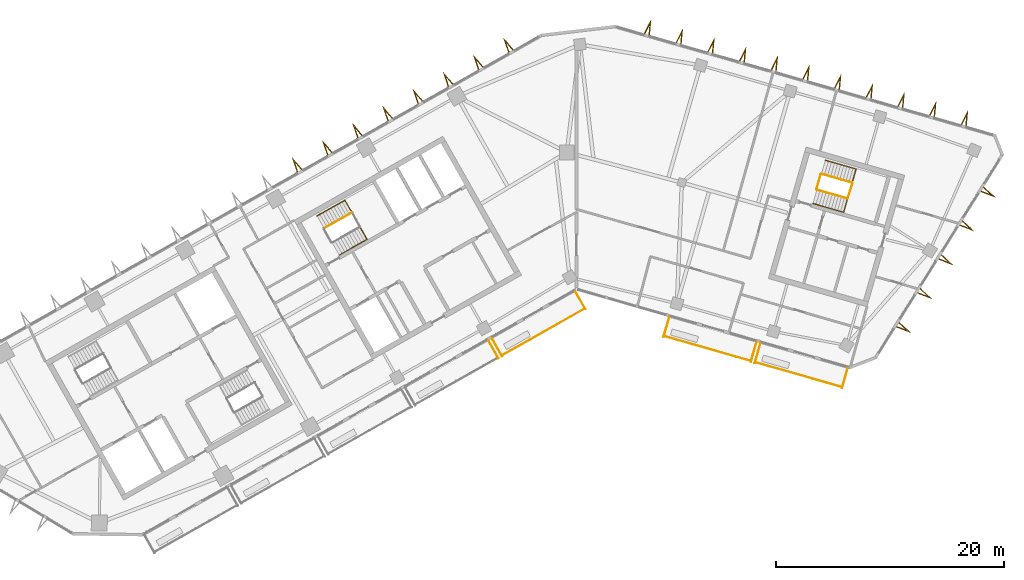
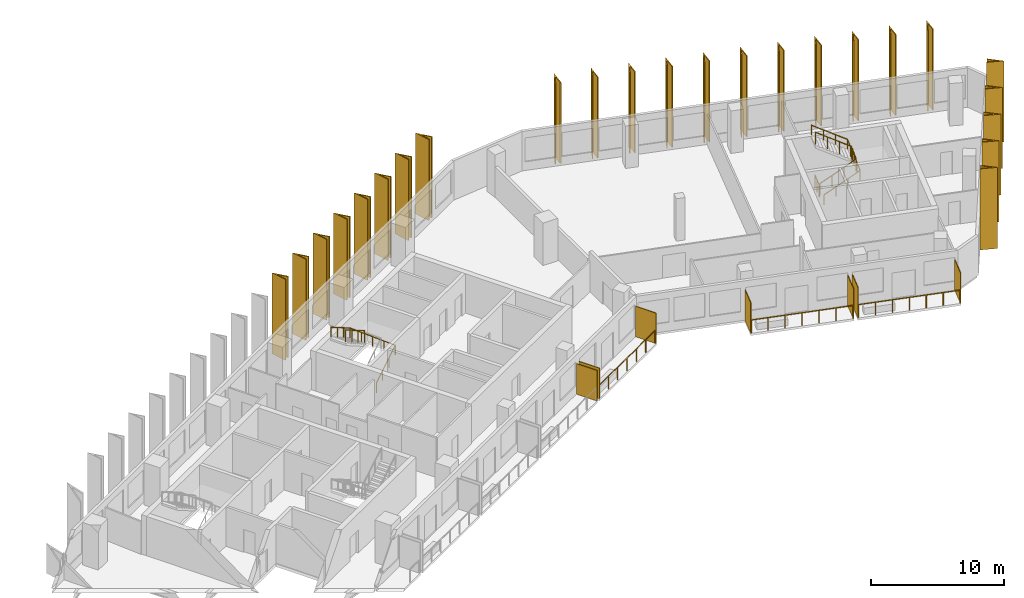
# One storey, part 10 of 11: 31 shading devices, 9 railings.
"""IFC4 building model written with IfcOpenShell, lengths in metres."""

from ifc_helpers import new_model, si_unit, direction, frame, origin, origin_2d, place, context, subcontext, project, spatial, polyline, rectangle, circle, outline, extrude, material, layer, layer_set, type_object, element, save


model = new_model("IFC4")

# Units and contexts
model_context = context("Model", 3, precision=1e-05, world=origin(), true_north=direction((0.0, 1.0)))
body_context = subcontext(model_context, "Body", "Model", "MODEL_VIEW")
ifc_project = project(units=[si_unit("LENGTHUNIT", "METRE"), si_unit("AREAUNIT", "SQUARE_METRE"), si_unit("VOLUMEUNIT", "CUBIC_METRE"), si_unit("PLANEANGLEUNIT", "RADIAN"), si_unit("MASSUNIT", "GRAM", prefix="KILO")], contexts=[model_context])

# Site, building, storey
site_placement = place(None, origin())
site = spatial("IfcSite", under=ifc_project, at=site_placement, CompositionType="ELEMENT")
building_placement = place(site_placement, origin())
building = spatial("IfcBuilding", under=site, at=building_placement, Name="Binnacle Exchange Tower", CompositionType="ELEMENT")
storey_placement = place(building_placement, frame((0.0, 0.0, 223.10009765625)))
storey = spatial("IfcBuildingStorey", under=building, at=storey_placement, Name="L49", CompositionType="ELEMENT", Elevation=223.10009765625)

# Railings
ifc_material_1 = material(Name="Bronze anodised aluminium frame", Category="aluminium")
railing_type_1 = type_object("IfcRailingType", Name="GUARD 1200", PredefinedType="GUARDRAIL", material=ifc_material_1)
railing_1_placement = place(storey_placement, frame((-6.5283203125, 42.186767578125, 0.0)))
element("IfcRailing", 1, at=railing_1_placement, inside=storey, type_object=railing_type_1, Name="Balcony guard G01-B04 L49", PredefinedType="GUARDRAIL", context=body_context, shape_type="SweptSolid", body=[
    extrude(circle(Radius=0.02392578125, at=origin_2d()), frame((0.0, 0.0, 1.17578125), z_axis=(0.870365821494, 0.492405662818, 0.0), x_axis=(-0.492405662818, 0.870365821494, 0.0)), (0.0, 0.0, 1.0), 8.334716796875),
    extrude(circle(Radius=0.02099609375, at=origin_2d()), origin(), (0.0, 0.0, 1.0), 1.15185546875),
    extrude(circle(Radius=0.02099609375, at=origin_2d()), frame((1.208984375, 0.68408203125, 0.0)), (0.0, 0.0, 1.0), 1.15185546875),
    extrude(circle(Radius=0.02099609375, at=origin_2d()), frame((2.41796875, 1.367919921875, 0.0)), (0.0, 0.0, 1.0), 1.15185546875),
    extrude(circle(Radius=0.02099609375, at=origin_2d()), frame((3.626953125, 2.052001953125, 0.0)), (0.0, 0.0, 1.0), 1.15185546875),
    extrude(circle(Radius=0.02099609375, at=origin_2d()), frame((4.836181640625, 2.736083984375, 0.0)), (0.0, 0.0, 1.0), 1.15185546875),
    extrude(circle(Radius=0.02099609375, at=origin_2d()), frame((6.045166015625, 3.419921875, 0.0)), (0.0, 0.0, 1.0), 1.15185546875),
    extrude(circle(Radius=0.02099609375, at=origin_2d()), frame((7.254150390625, 4.10400390625, 0.0)), (0.0, 0.0, 1.0), 1.15185546875),
])
railing_2_placement = place(storey_placement, frame((7.69140625, 43.875244140625, 0.0)))
element("IfcRailing", 2, at=railing_2_placement, inside=storey, type_object=railing_type_1, Name="Balcony guard G02-B01 L49", PredefinedType="GUARDRAIL", context=body_context, shape_type="SweptSolid", body=[
    extrude(circle(Radius=0.02392578125, at=origin_2d()), frame((0.0, 0.0, 1.17578125), z_axis=(0.961259965977, -0.275643388836, 0.0), x_axis=(0.275643388836, 0.961259965977, 0.0)), (0.0, 0.0, 1.0), 7.900634765625),
    extrude(circle(Radius=0.02099609375, at=origin_2d()), origin(), (0.0, 0.0, 1.0), 1.15185546875),
    extrude(circle(Radius=0.02099609375, at=origin_2d()), frame((1.265625, -0.363037109375, 0.0)), (0.0, 0.0, 1.0), 1.15185546875),
    extrude(circle(Radius=0.02099609375, at=origin_2d()), frame((2.531494140625, -0.725830078125, 0.0)), (0.0, 0.0, 1.0), 1.15185546875),
    extrude(circle(Radius=0.02099609375, at=origin_2d()), frame((3.79736328125, -1.0888671875, 0.0)), (0.0, 0.0, 1.0), 1.15185546875),
    extrude(circle(Radius=0.02099609375, at=origin_2d()), frame((5.06298828125, -1.451904296875, 0.0)), (0.0, 0.0, 1.0), 1.15185546875),
    extrude(circle(Radius=0.02099609375, at=origin_2d()), frame((6.32861328125, -1.814697265625, 0.0)), (0.0, 0.0, 1.0), 1.15185546875),
    extrude(circle(Radius=0.02099609375, at=origin_2d()), frame((7.594482421875, -2.177734375, 0.0)), (0.0, 0.0, 1.0), 1.15185546875),
])
railing_3_placement = place(storey_placement, frame((15.689453125, 41.581787109375, 0.0)))
element("IfcRailing", 3, at=railing_3_placement, inside=storey, type_object=railing_type_1, Name="Balcony guard G02-B02 L49", PredefinedType="GUARDRAIL", context=body_context, shape_type="SweptSolid", body=[
    extrude(circle(Radius=0.02392578125, at=origin_2d()), frame((0.0, 0.0, 1.17578125), z_axis=(0.961257617982, -0.275651576943, 0.0), x_axis=(0.275651576943, 0.961257617982, 0.0)), (0.0, 0.0, 1.0), 7.900390625),
    extrude(circle(Radius=0.02099609375, at=origin_2d()), origin(), (0.0, 0.0, 1.0), 1.15185546875),
    extrude(circle(Radius=0.02099609375, at=origin_2d()), frame((1.265625, -0.363037109375, 0.0)), (0.0, 0.0, 1.0), 1.15185546875),
    extrude(circle(Radius=0.02099609375, at=origin_2d()), frame((2.531494140625, -0.725830078125, 0.0)), (0.0, 0.0, 1.0), 1.15185546875),
    extrude(circle(Radius=0.02099609375, at=origin_2d()), frame((3.797119140625, -1.0888671875, 0.0)), (0.0, 0.0, 1.0), 1.15185546875),
    extrude(circle(Radius=0.02099609375, at=origin_2d()), frame((5.062744140625, -1.451904296875, 0.0)), (0.0, 0.0, 1.0), 1.15185546875),
    extrude(circle(Radius=0.02099609375, at=origin_2d()), frame((6.32861328125, -1.814697265625, 0.0)), (0.0, 0.0, 1.0), 1.15185546875),
    extrude(circle(Radius=0.02099609375, at=origin_2d()), frame((7.59423828125, -2.177734375, 0.0)), (0.0, 0.0, 1.0), 1.15185546875),
])

# Shading devices
ifc_material_2 = material(Name="Bronze aluminium louvre", Category="aluminium")
ifc_layer = layer(ifc_material_2, 0.06005859375)
ifc_layer_set = layer_set([ifc_layer], Name="PLANTED SCREEN 60x2800")
shading_device_type_1 = type_object("IfcShadingDeviceType", Name="PLANTED SCREEN 60x2800", PredefinedType="USERDEFINED", material=ifc_layer_set)
for number, where, z_axis, x_axis, name in (
    (4, (-7.271484375, 42.70849609375, 0.0), (0.0, 0.0, 1.0), (0.87035569594, 0.492423560103, 0.0), "Planted screen G01-B03b L49"),
    (5, (-6.9580078125, 42.885498046875, 0.0), (0.0, 0.0, 1.0), (0.87035569594, 0.492423560103, 0.0), "Planted screen G01-B04a L49"),
    (6, (0.34814453125, 47.019287109375, 0.0), (0.0, 0.0, 1.0), (0.87035569594, 0.492423560103, 0.0), "Planted screen G01-B04b L49"),
    (7, (7.888671875, 44.671630859375, 0.0), (0.0, 0.0, 1.0), (0.961261695938, -0.275637355817, 0.0), "Planted screen G02-B01a L49"),
    (8, (15.54052734375, 42.4775390625, 0.0), (0.0, 0.0, 1.0), (0.961261695938, -0.275637355817, 0.0), "Planted screen G02-B01b L49"),
    (9, (15.88671875, 42.37841796875, 0.0), (0.0, 0.0, 1.0), (0.961261695938, -0.275637355817, 0.0), "Planted screen G02-B02a L49"),
    (10, (23.538818359375, 40.18408203125, 0.0), (0.0, 0.0, 1.0), (0.961261695938, -0.275637355817, 0.0), "Planted screen G02-B02b L49"),
):
    element("IfcShadingDevice", number, at=place(storey_placement, frame(where, z_axis=z_axis, x_axis=x_axis)), inside=storey, type_object=shading_device_type_1, Name=name, ObjectType="SCREEN", PredefinedType="USERDEFINED", context=body_context, shape_type="SweptSolid", body=[
        extrude(rectangle(XDim=0.06005859375, YDim=1.800048828125, at=origin_2d()), origin(), (0.0, 0.0, 1.0), 2.800048828125),
    ])

# Railings
ifc_material_3 = material(Name="Steel guard rail", Category="steel")
railing_type_2 = type_object("IfcRailingType", Name="STAIR GUARD 1100", PredefinedType="GUARDRAIL", material=ifc_material_3)
railing_4_placement = place(storey_placement, frame((-19.70068359375, 54.71337890625, 2.127197265625)))
element("IfcRailing", 11, at=railing_4_placement, inside=storey, type_object=railing_type_2, Name="L49 STC1 stair guard 2", PredefinedType="GUARDRAIL", context=body_context, shape_type="SweptSolid", body=[
    extrude(circle(Radius=0.02392578125, at=origin_2d()), frame((0.0, 0.0, 1.076171875), z_axis=(-0.735381288273, -0.416018647052, 0.534923215202), x_axis=(0.492387636113, -0.870376019777, 0.0)), (0.0, 0.0, 1.0), 3.31396484375),
    extrude(circle(Radius=0.02099609375, at=origin_2d()), origin(), (0.0, 0.0, 1.0), 1.052001953125),
    extrude(circle(Radius=0.02099609375, at=origin_2d()), frame((-0.812255859375, -0.45947265625, 0.5908203125)), (0.0, 0.0, 1.0), 1.052001953125),
    extrude(circle(Radius=0.02099609375, at=origin_2d()), frame((-1.624755859375, -0.919189453125, 1.181884765625)), (0.0, 0.0, 1.0), 1.052001953125),
    extrude(circle(Radius=0.02099609375, at=origin_2d()), frame((-2.43701171875, -1.378662109375, 1.772705078125)), (0.0, 0.0, 1.0), 1.052001953125),
])
railing_5_placement = place(storey_placement, frame((21.086669921875, 56.71044921875, 0.17724609375)))
element("IfcRailing", 12, at=railing_5_placement, inside=storey, type_object=railing_type_2, Name="L49 STD1 stair guard 1", PredefinedType="GUARDRAIL", context=body_context, shape_type="SweptSolid", body=[
    extrude(circle(Radius=0.02392578125, at=origin_2d()), frame((0.0, 0.0, 1.076171875), z_axis=(0.81215085225, -0.232948203448, 0.534926282491), x_axis=(0.275711388614, 0.96124046429, 0.0)), (0.0, 0.0, 1.0), 3.31396484375),
    extrude(circle(Radius=0.02392578125, at=origin_2d()), frame((2.69140625, -0.77197265625, 2.8486328125), z_axis=(0.309842533299, 0.950787886208, 0.0), x_axis=(-0.950787886208, 0.309842533299, 0.0)), (0.0, 0.0, 1.0), 1.40087890625),
    extrude(circle(Radius=0.02099609375, at=origin_2d()), origin(), (0.0, 0.0, 1.0), 1.052001953125),
    extrude(circle(Radius=0.02099609375, at=origin_2d()), frame((0.897216796875, -0.25732421875, 0.5908203125)), (0.0, 0.0, 1.0), 1.052001953125),
    extrude(circle(Radius=0.02099609375, at=origin_2d()), frame((1.794189453125, -0.5146484375, 1.181884765625)), (0.0, 0.0, 1.0), 1.052001953125),
    extrude(circle(Radius=0.02099609375, at=origin_2d()), frame((2.69140625, -0.77197265625, 1.772705078125)), (0.0, 0.0, 1.0), 1.052001953125),
    extrude(circle(Radius=0.02099609375, at=origin_2d()), frame((2.908447265625, -0.10595703125, 1.772705078125)), (0.0, 0.0, 1.0), 1.052001953125),
    extrude(circle(Radius=0.02099609375, at=origin_2d()), frame((3.12548828125, 0.56005859375, 1.772705078125)), (0.0, 0.0, 1.0), 1.052001953125),
])
railing_6_placement = place(storey_placement, frame((24.177734375, 57.332275390625, 2.127197265625)))
element("IfcRailing", 13, at=railing_6_placement, inside=storey, type_object=railing_type_2, Name="L49 STD1 stair guard 2", PredefinedType="GUARDRAIL", context=body_context, shape_type="SweptSolid", body=[
    extrude(circle(Radius=0.02392578125, at=origin_2d()), frame((0.0, 0.0, 1.076171875), z_axis=(-0.81215085225, 0.232948203448, 0.534926282491), x_axis=(-0.275711388614, -0.96124046429, 0.0)), (0.0, 0.0, 1.0), 3.31396484375),
    extrude(circle(Radius=0.02099609375, at=origin_2d()), origin(), (0.0, 0.0, 1.0), 1.052001953125),
    extrude(circle(Radius=0.02099609375, at=origin_2d()), frame((-0.897216796875, 0.25732421875, 0.5908203125)), (0.0, 0.0, 1.0), 1.052001953125),
    extrude(circle(Radius=0.02099609375, at=origin_2d()), frame((-1.794189453125, 0.5146484375, 1.181884765625)), (0.0, 0.0, 1.0), 1.052001953125),
    extrude(circle(Radius=0.02099609375, at=origin_2d()), frame((-2.69140625, 0.77197265625, 1.772705078125)), (0.0, 0.0, 1.0), 1.052001953125),
])
railing_7_placement = place(storey_placement, frame((21.05224609375, 56.772216796875, 0.0)))
element("IfcRailing", 14, at=railing_7_placement, inside=storey, type_object=railing_type_2, Name="L49 STD1 stair guard 3", PredefinedType="GUARDRAIL", context=body_context, shape_type="SweptSolid", body=[
    extrude(circle(Radius=0.02392578125, at=origin_2d()), frame((0.0, 0.0, 1.076171875), z_axis=(0.275795817769, 0.961216243569, 0.0), x_axis=(-0.961216243569, 0.275795817769, 0.0)), (0.0, 0.0, 1.0), 1.349853515625),
    extrude(circle(Radius=0.02099609375, at=origin_2d()), origin(), (0.0, 0.0, 1.0), 1.052001953125),
    extrude(circle(Radius=0.02099609375, at=origin_2d()), frame((0.18603515625, 0.64892578125, 0.0)), (0.0, 0.0, 1.0), 1.052001953125),
    extrude(circle(Radius=0.02099609375, at=origin_2d()), frame((0.372314453125, 1.297607421875, 0.0)), (0.0, 0.0, 1.0), 1.052001953125),
])
ifc_material_4 = material(Name="Steel handrail", Category="steel")
railing_type_3 = type_object("IfcRailingType", Name="STAIR HANDRAIL 900", PredefinedType="HANDRAIL", material=ifc_material_4)
railing_8_placement = place(storey_placement, frame((-20.808349609375, 50.984619140625, 0.17724609375)))
element("IfcRailing", 15, at=railing_8_placement, inside=storey, type_object=railing_type_3, Name="L49 STC1 stair handrail 1", PredefinedType="HANDRAIL", context=body_context, shape_type="SweptSolid", body=[
    extrude(circle(Radius=0.02392578125, at=origin_2d()), frame((0.0, 0.0, 0.8759765625), z_axis=(0.735358749054, 0.416079564682, 0.534906819964), x_axis=(-0.492453686477, 0.870338650569, 0.0)), (0.0, 0.0, 1.0), 3.31396484375),
    extrude(circle(Radius=0.02392578125, at=origin_2d()), frame((2.43701171875, 1.37890625, 2.6484375), z_axis=(-0.491945051309, 0.869471352766, 0.044828932754), x_axis=(-0.87034633103, -0.492440112159, 0.0)), (0.0, 0.0, 1.0), 3.953857421875),
    extrude(circle(Radius=0.02392578125, at=origin_2d()), frame((0.491943359375, 4.816650390625, 2.82568359375), z_axis=(-0.735381288273, -0.416018647052, 0.534923215202), x_axis=(0.492387636113, -0.870376019777, 0.0)), (0.0, 0.0, 1.0), 3.31396484375),
    extrude(circle(Radius=0.02099609375, at=origin_2d()), origin(), (0.0, 0.0, 1.0), 0.851806640625),
    extrude(circle(Radius=0.02099609375, at=origin_2d()), frame((0.812255859375, 0.459716796875, 0.5908203125)), (0.0, 0.0, 1.0), 0.851806640625),
    extrude(circle(Radius=0.02099609375, at=origin_2d()), frame((1.624755859375, 0.919189453125, 1.181884765625)), (0.0, 0.0, 1.0), 0.851806640625),
    extrude(circle(Radius=0.02099609375, at=origin_2d()), frame((2.43701171875, 1.37890625, 1.772705078125)), (0.0, 0.0, 1.0), 0.851806640625),
    extrude(circle(Radius=0.02099609375, at=origin_2d()), frame((1.95068359375, 2.23828125, 1.81689453125)), (0.0, 0.0, 1.0), 0.851806640625),
    extrude(circle(Radius=0.02099609375, at=origin_2d()), frame((1.46435546875, 3.09765625, 1.861328125)), (0.0, 0.0, 1.0), 0.851806640625),
    extrude(circle(Radius=0.02099609375, at=origin_2d()), frame((0.978271484375, 3.957275390625, 1.90576171875)), (0.0, 0.0, 1.0), 0.851806640625),
    extrude(circle(Radius=0.02099609375, at=origin_2d()), frame((0.491943359375, 4.816650390625, 1.949951171875)), (0.0, 0.0, 1.0), 0.851806640625),
    extrude(circle(Radius=0.02099609375, at=origin_2d()), frame((-0.3203125, 4.357177734375, 2.540771484375)), (0.0, 0.0, 1.0), 0.851806640625),
    extrude(circle(Radius=0.02099609375, at=origin_2d()), frame((-1.1328125, 3.8974609375, 3.1318359375)), (0.0, 0.0, 1.0), 0.851806640625),
    extrude(circle(Radius=0.02099609375, at=origin_2d()), frame((-1.945068359375, 3.43798828125, 3.72265625)), (0.0, 0.0, 1.0), 0.851806640625),
])
railing_9_placement = place(storey_placement, frame((20.7421875, 55.5087890625, 0.17724609375)))
element("IfcRailing", 16, at=railing_9_placement, inside=storey, type_object=railing_type_3, Name="L49 STD1 stair handrail 1", PredefinedType="HANDRAIL", context=body_context, shape_type="SweptSolid", body=[
    extrude(circle(Radius=0.02392578125, at=origin_2d()), frame((0.0, 0.0, 0.8759765625), z_axis=(0.812164788183, -0.232878528252, 0.534935461448), x_axis=(0.275630818758, 0.961263570386, 0.0)), (0.0, 0.0, 1.0), 3.31396484375),
    extrude(circle(Radius=0.02392578125, at=origin_2d()), frame((2.69140625, -0.771728515625, 2.6484375), z_axis=(0.275390828663, 0.960286584611, 0.044828193186), x_axis=(-0.961252921364, 0.275667954558, 0.0)), (0.0, 0.0, 1.0), 3.953857421875),
    extrude(circle(Radius=0.02392578125, at=origin_2d()), frame((3.7802734375, 3.025146484375, 2.82568359375), z_axis=(-0.812189863168, 0.232864594782, 0.534903455461), x_axis=(-0.27560771734, -0.96127019414, 0.0)), (0.0, 0.0, 1.0), 3.31396484375),
    extrude(circle(Radius=0.02099609375, at=origin_2d()), origin(), (0.0, 0.0, 1.0), 0.851806640625),
    extrude(circle(Radius=0.02099609375, at=origin_2d()), frame((0.897216796875, -0.25732421875, 0.5908203125)), (0.0, 0.0, 1.0), 0.851806640625),
    extrude(circle(Radius=0.02099609375, at=origin_2d()), frame((1.794189453125, -0.514404296875, 1.181884765625)), (0.0, 0.0, 1.0), 0.851806640625),
    extrude(circle(Radius=0.02099609375, at=origin_2d()), frame((2.69140625, -0.771728515625, 1.772705078125)), (0.0, 0.0, 1.0), 0.851806640625),
    extrude(circle(Radius=0.02099609375, at=origin_2d()), frame((2.963623046875, 0.177490234375, 1.81689453125)), (0.0, 0.0, 1.0), 0.851806640625),
    extrude(circle(Radius=0.02099609375, at=origin_2d()), frame((3.23583984375, 1.126708984375, 1.861328125)), (0.0, 0.0, 1.0), 0.851806640625),
    extrude(circle(Radius=0.02099609375, at=origin_2d()), frame((3.508056640625, 2.075927734375, 1.90576171875)), (0.0, 0.0, 1.0), 0.851806640625),
    extrude(circle(Radius=0.02099609375, at=origin_2d()), frame((3.7802734375, 3.025146484375, 1.949951171875)), (0.0, 0.0, 1.0), 0.851806640625),
    extrude(circle(Radius=0.02099609375, at=origin_2d()), frame((2.883056640625, 3.282470703125, 2.540771484375)), (0.0, 0.0, 1.0), 0.851806640625),
    extrude(circle(Radius=0.02099609375, at=origin_2d()), frame((1.98583984375, 3.53955078125, 3.1318359375)), (0.0, 0.0, 1.0), 0.851806640625),
    extrude(circle(Radius=0.02099609375, at=origin_2d()), frame((1.088623046875, 3.796875, 3.72265625)), (0.0, 0.0, 1.0), 0.851806640625),
])

# Shading devices
ifc_material_5 = material(Name="Bronze aluminium cladding", Category="aluminium")
shading_device_type_2 = type_object("IfcShadingDeviceType", Name="V FIN 1300 DEEP x 7450 HIGH", PredefinedType="USERDEFINED", material=ifc_material_5)
shading_device_1_placement = place(storey_placement, origin())
element("IfcShadingDevice", 17, at=shading_device_1_placement, inside=storey, type_object=shading_device_type_2, Name="V fin FN-G04-01 L49", ObjectType="FIN", PredefinedType="USERDEFINED", context=body_context, shape_type="SweptSolid", body=[
    extrude(outline(polyline([(28.05908203125, 44.668212890625), (29.294189453125, 44.19140625), (28.32421875, 45.09228515625), (28.281005859375, 45.023193359375), (28.934814453125, 44.416015625), (28.102294921875, 44.7373046875), (28.05908203125, 44.668212890625)])), origin(), (0.0, 0.0, 1.0), 7.449951171875),
])
shading_device_2_placement = place(storey_placement, origin())
element("IfcShadingDevice", 18, at=shading_device_2_placement, inside=storey, type_object=shading_device_type_2, Name="V fin FN-G04-02 L49", ObjectType="FIN", PredefinedType="USERDEFINED", context=body_context, shape_type="SweptSolid", body=[
    extrude(outline(polyline([(29.913818359375, 47.636474609375), (31.14892578125, 47.15966796875), (30.178955078125, 48.060546875), (30.1357421875, 47.991455078125), (30.78955078125, 47.384033203125), (29.95703125, 47.70556640625), (29.913818359375, 47.636474609375)])), origin(), (0.0, 0.0, 1.0), 7.449951171875),
])
shading_device_3_placement = place(storey_placement, origin())
element("IfcShadingDevice", 19, at=shading_device_3_placement, inside=storey, type_object=shading_device_type_2, Name="V fin FN-G04-03 L49", ObjectType="FIN", PredefinedType="USERDEFINED", context=body_context, shape_type="SweptSolid", body=[
    extrude(outline(polyline([(31.768798828125, 50.604736328125), (33.003662109375, 50.127685546875), (32.03369140625, 51.02880859375), (31.990478515625, 50.959716796875), (32.644287109375, 50.352294921875), (31.81201171875, 50.673828125), (31.768798828125, 50.604736328125)])), origin(), (0.0, 0.0, 1.0), 7.449951171875),
])
shading_device_4_placement = place(storey_placement, origin())
element("IfcShadingDevice", 20, at=shading_device_4_placement, inside=storey, type_object=shading_device_type_2, Name="V fin FN-G04-04 L49", ObjectType="FIN", PredefinedType="USERDEFINED", context=body_context, shape_type="SweptSolid", body=[
    extrude(outline(polyline([(33.623291015625, 53.57275390625), (34.8583984375, 53.095947265625), (33.888427734375, 53.996826171875), (33.84521484375, 53.927734375), (34.4990234375, 53.3203125), (33.66650390625, 53.641845703125), (33.623291015625, 53.57275390625)])), origin(), (0.0, 0.0, 1.0), 7.449951171875),
])
shading_device_5_placement = place(storey_placement, origin())
element("IfcShadingDevice", 21, at=shading_device_5_placement, inside=storey, type_object=shading_device_type_2, Name="V fin FN-G04-05 L49", ObjectType="FIN", PredefinedType="USERDEFINED", context=body_context, shape_type="SweptSolid", body=[
    extrude(outline(polyline([(35.47802734375, 56.541015625), (36.713134765625, 56.064208984375), (35.7431640625, 56.965087890625), (35.699951171875, 56.89599609375), (36.353759765625, 56.28857421875), (35.521240234375, 56.610107421875), (35.47802734375, 56.541015625)])), origin(), (0.0, 0.0, 1.0), 7.449951171875),
])
shading_device_6_placement = place(storey_placement, origin())
element("IfcShadingDevice", 22, at=shading_device_6_placement, inside=storey, type_object=shading_device_type_2, Name="V fin FN-G06-01 L49", ObjectType="FIN", PredefinedType="USERDEFINED", context=body_context, shape_type="SweptSolid", body=[
    extrude(outline(polyline([(34.2080078125, 62.321044921875), (34.325927734375, 63.639404296875), (33.727294921875, 62.458740234375), (33.8056640625, 62.436279296875), (34.209228515625, 63.232421875), (34.129638671875, 62.343505859375), (34.2080078125, 62.321044921875)])), origin(), (0.0, 0.0, 1.0), 7.449951171875),
])
shading_device_7_placement = place(storey_placement, origin())
element("IfcShadingDevice", 23, at=shading_device_7_placement, inside=storey, type_object=shading_device_type_2, Name="V fin FN-G06-02 L49", ObjectType="FIN", PredefinedType="USERDEFINED", context=body_context, shape_type="SweptSolid", body=[
    extrude(outline(polyline([(31.428955078125, 63.117919921875), (31.547119140625, 64.436279296875), (30.948486328125, 63.255615234375), (31.026611328125, 63.2333984375), (31.430419921875, 64.029296875), (31.3505859375, 63.140380859375), (31.428955078125, 63.117919921875)])), origin(), (0.0, 0.0, 1.0), 7.449951171875),
])
shading_device_8_placement = place(storey_placement, origin())
element("IfcShadingDevice", 24, at=shading_device_8_placement, inside=storey, type_object=shading_device_type_2, Name="V fin FN-G06-03 L49", ObjectType="FIN", PredefinedType="USERDEFINED", context=body_context, shape_type="SweptSolid", body=[
    extrude(outline(polyline([(28.64990234375, 63.914794921875), (28.76806640625, 65.2333984375), (28.16943359375, 64.052490234375), (28.247802734375, 64.0302734375), (28.6513671875, 64.826171875), (28.57177734375, 63.937255859375), (28.64990234375, 63.914794921875)])), origin(), (0.0, 0.0, 1.0), 7.449951171875),
])
shading_device_9_placement = place(storey_placement, origin())
element("IfcShadingDevice", 25, at=shading_device_9_placement, inside=storey, type_object=shading_device_type_2, Name="V fin FN-G06-04 L49", ObjectType="FIN", PredefinedType="USERDEFINED", context=body_context, shape_type="SweptSolid", body=[
    extrude(outline(polyline([(25.87109375, 64.711669921875), (25.989013671875, 66.030029296875), (25.390380859375, 64.849365234375), (25.46875, 64.826904296875), (25.872314453125, 65.622802734375), (25.792724609375, 64.73388671875), (25.87109375, 64.711669921875)])), origin(), (0.0, 0.0, 1.0), 7.449951171875),
])
shading_device_10_placement = place(storey_placement, origin())
element("IfcShadingDevice", 26, at=shading_device_10_placement, inside=storey, type_object=shading_device_type_2, Name="V fin FN-G06-05 L49", ObjectType="FIN", PredefinedType="USERDEFINED", context=body_context, shape_type="SweptSolid", body=[
    extrude(outline(polyline([(23.092041015625, 65.508544921875), (23.210205078125, 66.826904296875), (22.611572265625, 65.646240234375), (22.689697265625, 65.623779296875), (23.093505859375, 66.419921875), (23.013916015625, 65.531005859375), (23.092041015625, 65.508544921875)])), origin(), (0.0, 0.0, 1.0), 7.449951171875),
])
shading_device_11_placement = place(storey_placement, origin())
element("IfcShadingDevice", 27, at=shading_device_11_placement, inside=storey, type_object=shading_device_type_2, Name="V fin FN-G06-06 L49", ObjectType="FIN", PredefinedType="USERDEFINED", context=body_context, shape_type="SweptSolid", body=[
    extrude(outline(polyline([(20.31298828125, 66.305419921875), (20.43115234375, 67.623779296875), (19.83251953125, 66.443115234375), (19.910888671875, 66.420654296875), (20.314453125, 67.216552734375), (20.23486328125, 66.32763671875), (20.31298828125, 66.305419921875)])), origin(), (0.0, 0.0, 1.0), 7.449951171875),
])
shading_device_12_placement = place(storey_placement, origin())
element("IfcShadingDevice", 28, at=shading_device_12_placement, inside=storey, type_object=shading_device_type_2, Name="V fin FN-G06-07 L49", ObjectType="FIN", PredefinedType="USERDEFINED", context=body_context, shape_type="SweptSolid", body=[
    extrude(outline(polyline([(17.5341796875, 67.102294921875), (17.652099609375, 68.420654296875), (17.053466796875, 67.239990234375), (17.1318359375, 67.217529296875), (17.535400390625, 68.013427734375), (17.455810546875, 67.12451171875), (17.5341796875, 67.102294921875)])), origin(), (0.0, 0.0, 1.0), 7.449951171875),
])
shading_device_13_placement = place(storey_placement, origin())
element("IfcShadingDevice", 29, at=shading_device_13_placement, inside=storey, type_object=shading_device_type_2, Name="V fin FN-G06-08 L49", ObjectType="FIN", PredefinedType="USERDEFINED", context=body_context, shape_type="SweptSolid", body=[
    extrude(outline(polyline([(14.755126953125, 67.899169921875), (14.873046875, 69.217529296875), (14.2744140625, 68.036865234375), (14.352783203125, 68.014404296875), (14.75634765625, 68.810302734375), (14.6767578125, 67.92138671875), (14.755126953125, 67.899169921875)])), origin(), (0.0, 0.0, 1.0), 7.449951171875),
])
shading_device_14_placement = place(storey_placement, origin())
element("IfcShadingDevice", 30, at=shading_device_14_placement, inside=storey, type_object=shading_device_type_2, Name="V fin FN-G06-09 L49", ObjectType="FIN", PredefinedType="USERDEFINED", context=body_context, shape_type="SweptSolid", body=[
    extrude(outline(polyline([(11.97607421875, 68.69580078125), (12.093994140625, 70.014404296875), (11.49560546875, 68.833740234375), (11.57373046875, 68.811279296875), (11.977294921875, 69.607177734375), (11.897705078125, 68.71826171875), (11.97607421875, 68.69580078125)])), origin(), (0.0, 0.0, 1.0), 7.449951171875),
])
shading_device_15_placement = place(storey_placement, origin())
element("IfcShadingDevice", 31, at=shading_device_15_placement, inside=storey, type_object=shading_device_type_2, Name="V fin FN-G06-10 L49", ObjectType="FIN", PredefinedType="USERDEFINED", context=body_context, shape_type="SweptSolid", body=[
    extrude(outline(polyline([(9.197265625, 69.492919921875), (9.315185546875, 70.811279296875), (8.716552734375, 69.630615234375), (8.794921875, 69.608154296875), (9.198486328125, 70.404052734375), (9.118896484375, 69.51513671875), (9.197265625, 69.492919921875)])), origin(), (0.0, 0.0, 1.0), 7.449951171875),
])
shading_device_16_placement = place(storey_placement, origin())
element("IfcShadingDevice", 32, at=shading_device_16_placement, inside=storey, type_object=shading_device_type_2, Name="V fin FN-G06-11 L49", ObjectType="FIN", PredefinedType="USERDEFINED", context=body_context, shape_type="SweptSolid", body=[
    extrude(outline(polyline([(6.418212890625, 70.28955078125), (6.5361328125, 71.608154296875), (5.9375, 70.427490234375), (6.015869140625, 70.405029296875), (6.41943359375, 71.200927734375), (6.33984375, 70.31201171875), (6.418212890625, 70.28955078125)])), origin(), (0.0, 0.0, 1.0), 7.449951171875),
])
shading_device_17_placement = place(storey_placement, origin())
element("IfcShadingDevice", 33, at=shading_device_17_placement, inside=storey, type_object=shading_device_type_2, Name="V fin FN-G08-01 L49", ObjectType="FIN", PredefinedType="USERDEFINED", context=body_context, shape_type="SweptSolid", body=[
    extrude(outline(polyline([(-5.538818359375, 69.009765625), (-6.396728515625, 70.018310546875), (-5.97412109375, 68.763671875), (-5.9033203125, 68.8037109375), (-6.18798828125, 69.6494140625), (-5.60986328125, 68.9697265625), (-5.538818359375, 69.009765625)])), origin(), (0.0, 0.0, 1.0), 7.449951171875),
])
shading_device_18_placement = place(storey_placement, origin())
element("IfcShadingDevice", 34, at=shading_device_18_placement, inside=storey, type_object=shading_device_type_2, Name="V fin FN-G08-02 L49", ObjectType="FIN", PredefinedType="USERDEFINED", context=body_context, shape_type="SweptSolid", body=[
    extrude(outline(polyline([(-8.187744140625, 67.51123046875), (-9.04541015625, 68.51953125), (-8.622802734375, 67.264892578125), (-8.552001953125, 67.30517578125), (-8.8369140625, 68.15087890625), (-8.258544921875, 67.47119140625), (-8.187744140625, 67.51123046875)])), origin(), (0.0, 0.0, 1.0), 7.449951171875),
])
shading_device_19_placement = place(storey_placement, origin())
element("IfcShadingDevice", 35, at=shading_device_19_placement, inside=storey, type_object=shading_device_type_2, Name="V fin FN-G08-03 L49", ObjectType="FIN", PredefinedType="USERDEFINED", context=body_context, shape_type="SweptSolid", body=[
    extrude(outline(polyline([(-10.83642578125, 66.0126953125), (-11.694091796875, 67.02099609375), (-11.271484375, 65.766357421875), (-11.20068359375, 65.806396484375), (-11.485595703125, 66.65234375), (-10.9072265625, 65.972412109375), (-10.83642578125, 66.0126953125)])), origin(), (0.0, 0.0, 1.0), 7.449951171875),
])
shading_device_20_placement = place(storey_placement, origin())
element("IfcShadingDevice", 36, at=shading_device_20_placement, inside=storey, type_object=shading_device_type_2, Name="V fin FN-G08-04 L49", ObjectType="FIN", PredefinedType="USERDEFINED", context=body_context, shape_type="SweptSolid", body=[
    extrude(outline(polyline([(-13.485107421875, 64.51416015625), (-14.343017578125, 65.5224609375), (-13.92041015625, 64.267822265625), (-13.849365234375, 64.30810546875), (-14.13427734375, 65.15380859375), (-13.555908203125, 64.47412109375), (-13.485107421875, 64.51416015625)])), origin(), (0.0, 0.0, 1.0), 7.449951171875),
])
shading_device_21_placement = place(storey_placement, origin())
element("IfcShadingDevice", 37, at=shading_device_21_placement, inside=storey, type_object=shading_device_type_2, Name="V fin FN-G08-05 L49", ObjectType="FIN", PredefinedType="USERDEFINED", context=body_context, shape_type="SweptSolid", body=[
    extrude(outline(polyline([(-16.1337890625, 63.015380859375), (-16.99169921875, 64.02392578125), (-16.569091796875, 62.769287109375), (-16.498046875, 62.809326171875), (-16.782958984375, 63.6552734375), (-16.20458984375, 62.975341796875), (-16.1337890625, 63.015380859375)])), origin(), (0.0, 0.0, 1.0), 7.449951171875),
])
shading_device_22_placement = place(storey_placement, origin())
element("IfcShadingDevice", 38, at=shading_device_22_placement, inside=storey, type_object=shading_device_type_2, Name="V fin FN-G08-06 L49", ObjectType="FIN", PredefinedType="USERDEFINED", context=body_context, shape_type="SweptSolid", body=[
    extrude(outline(polyline([(-18.78271484375, 61.516845703125), (-19.640380859375, 62.525390625), (-19.2177734375, 61.270751953125), (-19.14697265625, 61.310791015625), (-19.431640625, 62.156494140625), (-18.853515625, 61.476806640625), (-18.78271484375, 61.516845703125)])), origin(), (0.0, 0.0, 1.0), 7.449951171875),
])
shading_device_23_placement = place(storey_placement, origin())
element("IfcShadingDevice", 39, at=shading_device_23_placement, inside=storey, type_object=shading_device_type_2, Name="V fin FN-G08-07 L49", ObjectType="FIN", PredefinedType="USERDEFINED", context=body_context, shape_type="SweptSolid", body=[
    extrude(outline(polyline([(-21.431396484375, 60.018310546875), (-22.2890625, 61.026611328125), (-21.866455078125, 59.772216796875), (-21.795654296875, 59.812255859375), (-22.080322265625, 60.657958984375), (-21.502197265625, 59.978271484375), (-21.431396484375, 60.018310546875)])), origin(), (0.0, 0.0, 1.0), 7.449951171875),
])
shading_device_24_placement = place(storey_placement, origin())
element("IfcShadingDevice", 40, at=shading_device_24_placement, inside=storey, type_object=shading_device_type_2, Name="V fin FN-G08-08 L49", ObjectType="FIN", PredefinedType="USERDEFINED", context=body_context, shape_type="SweptSolid", body=[
    extrude(outline(polyline([(-24.080078125, 58.519775390625), (-24.93798828125, 59.528076171875), (-24.515380859375, 58.2734375), (-24.4443359375, 58.313720703125), (-24.729248046875, 59.159423828125), (-24.15087890625, 58.4794921875), (-24.080078125, 58.519775390625)])), origin(), (0.0, 0.0, 1.0), 7.449951171875),
])

save(model, "model.ifc")
